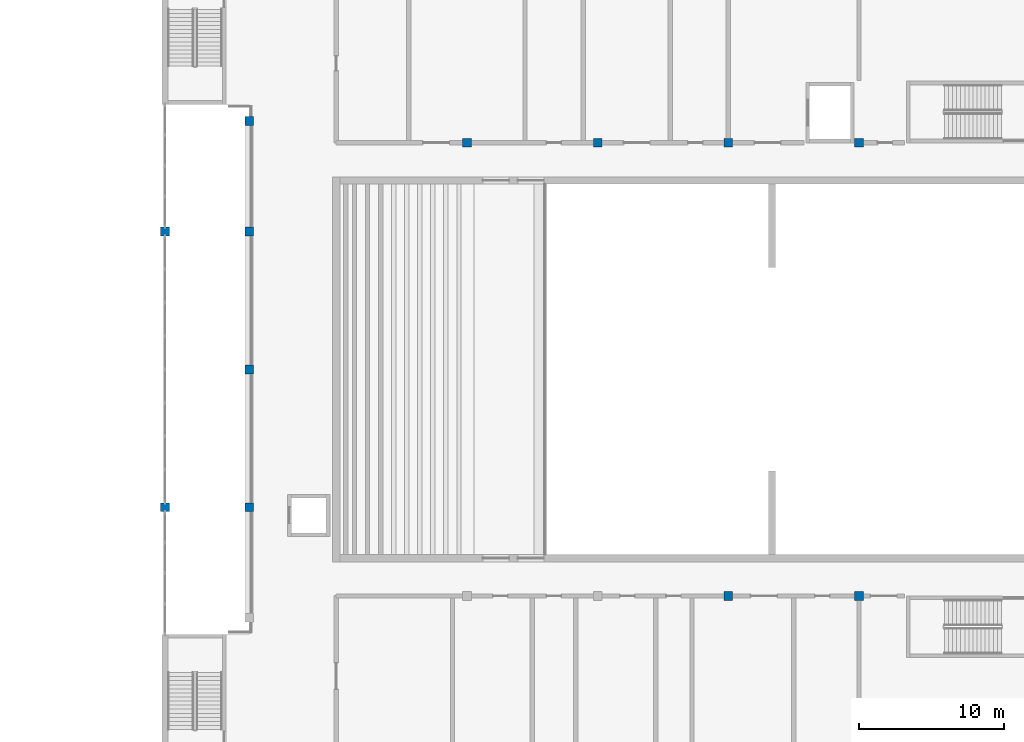
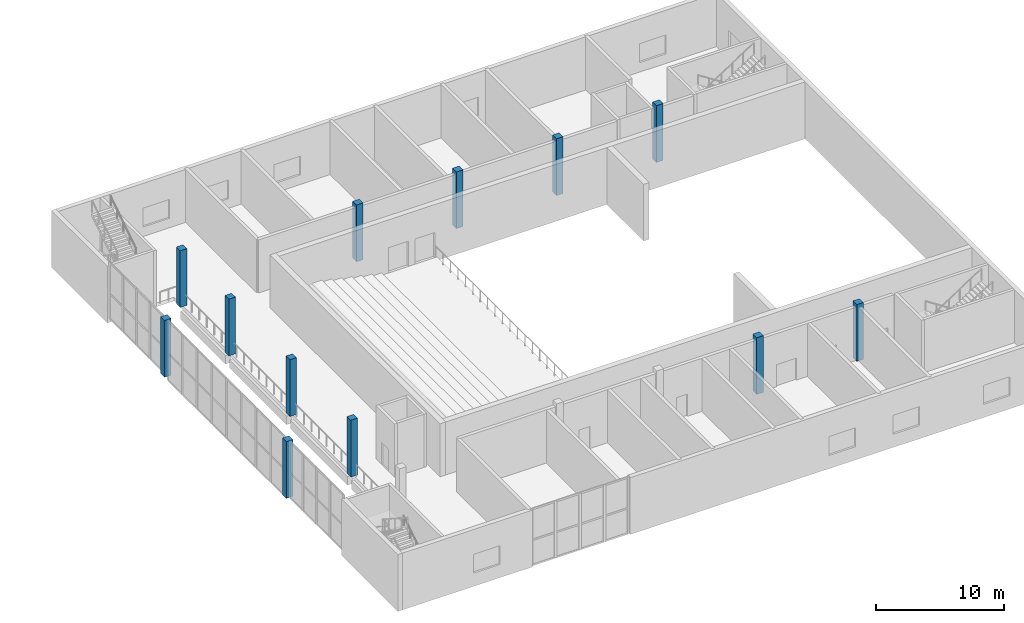
# One storey, part 2 of 44: 12 columns.
"""IFC4 building model written with IfcOpenShell, lengths in metres."""

from ifc_helpers import new_model, si_unit, direction, frame, origin, origin_2d, place, context, subcontext, project, spatial, rectangle, extrude, material, material_profile, profile_set, type_object, element, save


model = new_model("IFC4")

# Units and contexts
model_context = context("Model", 3, precision=1e-05, world=origin(), true_north=direction((0.0, 1.0)))
body_context = subcontext(model_context, "Body", "Model", "MODEL_VIEW")
ifc_project = project(units=[si_unit("LENGTHUNIT", "METRE"), si_unit("AREAUNIT", "SQUARE_METRE"), si_unit("VOLUMEUNIT", "CUBIC_METRE"), si_unit("PLANEANGLEUNIT", "RADIAN"), si_unit("MASSUNIT", "GRAM", prefix="KILO")], contexts=[model_context])

# Site, building, storey
site_placement = place(None, origin())
site = spatial("IfcSite", under=ifc_project, at=site_placement, CompositionType="ELEMENT")
building_placement = place(site_placement, origin())
building = spatial("IfcBuilding", under=site, at=building_placement, Name="Hunhe Ridgeline Campus", CompositionType="ELEMENT")
storey_placement = place(building_placement, frame((0.0, 0.0, 6.0)))
storey = spatial("IfcBuildingStorey", under=building, at=storey_placement, Name="L01", CompositionType="ELEMENT", Elevation=6.0)

# Columns
ifc_material = material(Name="Concrete C50", Category="concrete")
ifc_material_profile = material_profile(ifc_material, rectangle(XDim=0.60009765625, YDim=0.60009765625, at=origin_2d()))
ifc_profile_set = profile_set([ifc_material_profile], Name="Concrete C50")
column_type = type_object("IfcColumnType", Name="Hall RC column 600x600 C50", PredefinedType="COLUMN", material=ifc_profile_set)
for number, where, z_axis, x_axis, name in (
    (1, (171.0, 65.10009765625, 0.0), (0.0, 0.0, 1.0), (1.0, 0.0, 0.0), "Hall column HC-N1"),
    (2, (180.0, 65.10009765625, 0.0), (0.0, 0.0, 1.0), (1.0, 0.0, 0.0), "Hall column HC-N2"),
    (3, (189.0, 33.89990234375, 0.0), (0.0, 0.0, 1.0), (1.0, 0.0, 0.0), "Hall column HC-S3"),
    (4, (189.0, 65.10009765625, 0.0), (0.0, 0.0, 1.0), (1.0, 0.0, 0.0), "Hall column HC-N3"),
    (5, (198.0, 33.89990234375, 0.0), (0.0, 0.0, 1.0), (1.0, 0.0, 0.0), "Hall column HC-S4"),
    (6, (198.0, 65.10009765625, 0.0), (0.0, 0.0, 1.0), (1.0, 0.0, 0.0), "Hall column HC-N4"),
    (7, (156.0, 40.0, 0.0), (0.0, 0.0, 1.0), (1.0, 0.0, 0.0), "Hall column HC-G2"),
    (8, (156.0, 49.5, 0.0), (0.0, 0.0, 1.0), (1.0, 0.0, 0.0), "Hall column HC-G3"),
    (9, (156.0, 59.0, 0.0), (0.0, 0.0, 1.0), (1.0, 0.0, 0.0), "Hall column HC-G4"),
    (10, (156.0, 66.60009765625, 0.0), (0.0, 0.0, 1.0), (1.0, 0.0, 0.0), "Hall column HC-G5"),
    (11, (150.199951171875, 40.0, 0.0), (0.0, 0.0, 1.0), (1.0, 0.0, 0.0), "Hall column HC-W1"),
    (12, (150.199951171875, 59.0, 0.0), (0.0, 0.0, 1.0), (1.0, 0.0, 0.0), "Hall column HC-W2"),
):
    element("IfcColumn", number, at=place(storey_placement, frame(where, z_axis=z_axis, x_axis=x_axis)), inside=storey, type_object=column_type, Name=name, PredefinedType="COLUMN", context=body_context, shape_type="SweptSolid", body=[
        extrude(rectangle(XDim=0.60009765625, YDim=0.60009765625, at=origin_2d()), origin(), (0.0, 0.0, 1.0), 5.39990234375),
    ])

save(model, "model.ifc")
